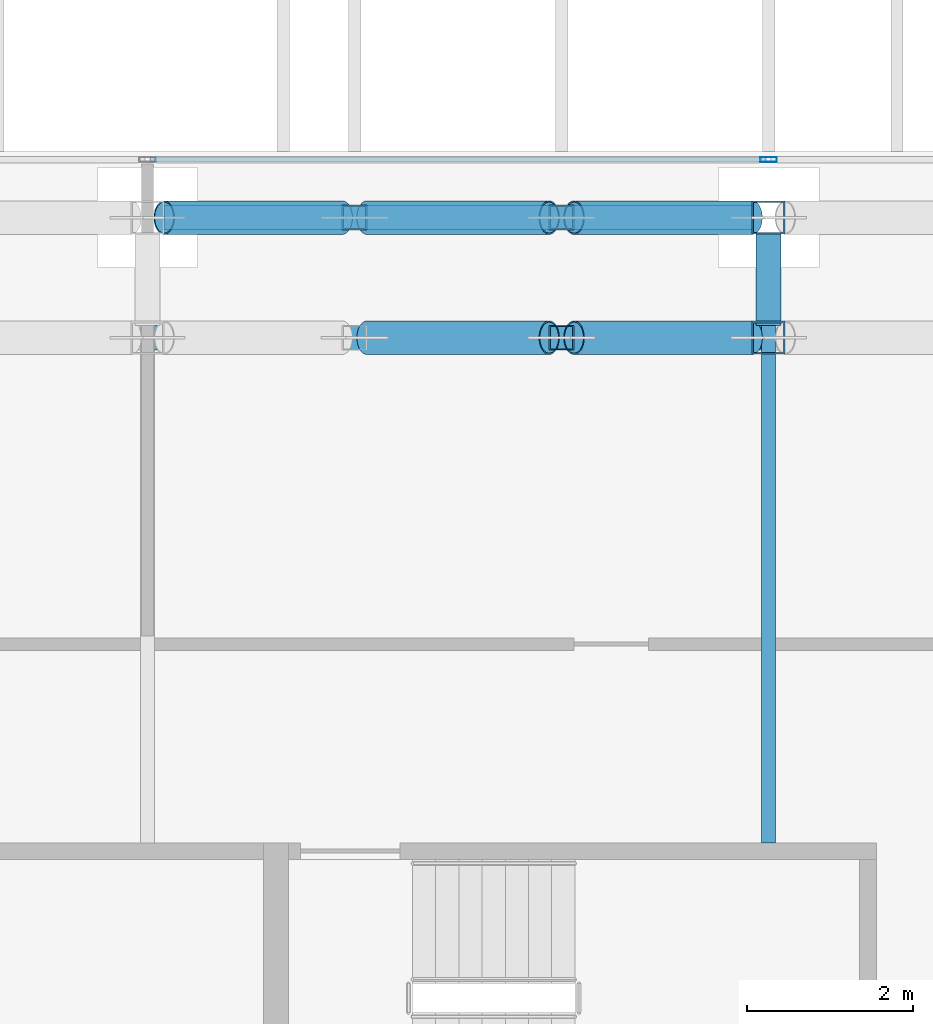
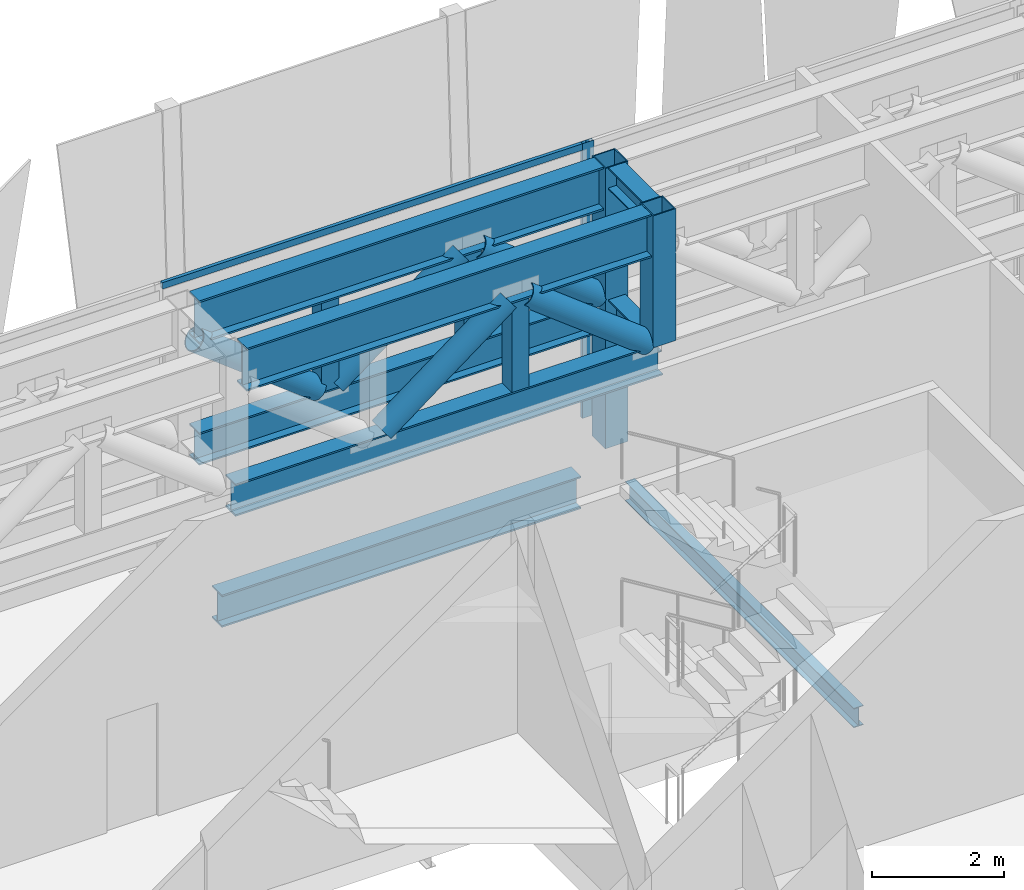
# One storey, part 21 of 39: 16 members, 4 beams, 1 element without a shape of its own.
"""IFC4 building model written with IfcOpenShell, lengths in metres."""

from ifc_helpers import new_model, si_unit, direction, frame, origin, origin_2d, place, context, subcontext, project, spatial, hollow_rectangle, hollow_circle, i_section, extrude, source, transform, mapped, material, material_profile, profile_set, type_object, element, aggregate, save


model = new_model("IFC4")

# Units and contexts
model_context = context("Model", 3, precision=1e-05, world=origin(), true_north=direction((0.0, 1.0)))
body_context = subcontext(model_context, "Body", "Model", "MODEL_VIEW")
ifc_project = project(units=[si_unit("LENGTHUNIT", "METRE"), si_unit("AREAUNIT", "SQUARE_METRE"), si_unit("VOLUMEUNIT", "CUBIC_METRE"), si_unit("PLANEANGLEUNIT", "RADIAN"), si_unit("MASSUNIT", "GRAM", prefix="KILO")], contexts=[model_context])

# Site, building, storey
site_placement = place(None, origin())
site = spatial("IfcSite", under=ifc_project, at=site_placement, CompositionType="ELEMENT")
building_placement = place(site_placement, origin())
building = spatial("IfcBuilding", under=site, at=building_placement, Name="Khomas Fold Tower", CompositionType="ELEMENT")
storey_placement = place(building_placement, frame((0.0, 0.0, 96.0)))
storey = spatial("IfcBuildingStorey", under=building, at=storey_placement, Name="L20", CompositionType="ELEMENT", Elevation=96.0)

# Beams
ifc_material_1 = material(Name="Steel S355", Category="steel")
ifc_material_profile_1 = material_profile(ifc_material_1, i_section(OverallWidth=0.169921875, OverallDepth=0.360107421875, WebThickness=0.008056640625, FlangeThickness=0.0126953125, at=origin_2d()), Name="IPE 360")
ifc_profile_set_1 = profile_set([ifc_material_profile_1], Name="Steel S355")
beam_type_1 = type_object("IfcBeamType", Name="IPE 360 beam JB2", PredefinedType="BEAM", material=ifc_profile_set_1)
shared_shape_1 = source(origin(), body_context, "Body", "SweptSolid", [
    extrude(i_section(OverallWidth=0.169921875, OverallDepth=0.360107421875, WebThickness=0.008056640625, FlangeThickness=0.0126953125, at=origin_2d()), origin(), (0.0, 0.0, 1.0), 6.9501953125),
])
beam_1_placement = place(storey_placement, frame((27.0, 45.64990234375, -0.580078125), z_axis=(0.0, 1.0, 0.0), x_axis=(-1.0, 0.0, 0.0)))
element("IfcBeam", 1, at=beam_1_placement, inside=storey, type_object=beam_type_1, Name="JB2", PredefinedType="BEAM", context=body_context, shape_type="MappedRepresentation", body=[
    mapped(shared_shape_1, transform((0.0, 0.0, 0.0))),
])
ifc_material_2 = material(Name="Steel S355", Category="steel")
ifc_material_profile_2 = material_profile(ifc_material_2, i_section(OverallWidth=0.300048828125, OverallDepth=0.60009765625, WebThickness=0.015380859375, FlangeThickness=0.030029296875, at=origin_2d()), Name="HE 600 B")
ifc_profile_set_2 = profile_set([ifc_material_profile_2], Name="Steel S355")
beam_type_2 = type_object("IfcBeamType", Name="HE 600 B spandrel SB1", PredefinedType="SPANDREL", material=ifc_profile_set_2)
shared_shape_2 = source(origin(), body_context, "Body", "SweptSolid", [
    extrude(i_section(OverallWidth=0.300048828125, OverallDepth=0.60009765625, WebThickness=0.015380859375, FlangeThickness=0.030029296875, at=origin_2d()), origin(), (0.0, 0.0, 1.0), 6.2998046875),
])
beam_2_placement = place(storey_placement, frame((20.10009765625, 53.199951171875, -0.699951171875), z_axis=(1.0, 0.0, 0.0), x_axis=(0.0, 1.0, 0.0)))
element("IfcBeam", 2, at=beam_2_placement, inside=storey, type_object=beam_type_2, Name="SB1", PredefinedType="SPANDREL", context=body_context, shape_type="MappedRepresentation", body=[
    mapped(shared_shape_2, transform((0.0, 0.0, 0.0))),
])

# Members
ifc_material_3 = material(Name="Steel S355", Category="steel")
ifc_material_profile_3 = material_profile(ifc_material_3, i_section(OverallWidth=0.300048828125, OverallDepth=0.60009765625, WebThickness=0.015380859375, FlangeThickness=0.030029296875, at=origin_2d()), Name="HE 600 B")
ifc_profile_set_3 = profile_set([ifc_material_profile_3], Name="Steel S355")
member_type_1 = type_object("IfcMemberType", Name="BELT TRUSS 1 BOTTOM CHORD HE 600 B", PredefinedType="CHORD", material=ifc_profile_set_3)
shared_shape_3 = source(origin(), body_context, "Body", "SweptSolid", [
    extrude(i_section(OverallWidth=0.300048828125, OverallDepth=0.60009765625, WebThickness=0.015380859375, FlangeThickness=0.030029296875, at=origin_2d()), origin(), (0.0, 0.0, 1.0), 7.5),
])
member_1_placement = place(storey_placement, frame((27.0, 51.75, 2.449951171875), z_axis=(-1.0, 0.0, 0.0), x_axis=(0.0, -1.0, 0.0)))
element("IfcMember", 3, at=member_1_placement, inside=storey, type_object=member_type_1, Name="BT1-CB", PredefinedType="CHORD", context=body_context, shape_type="MappedRepresentation", body=[
    mapped(shared_shape_3, transform((0.0, 0.0, 0.0))),
])
ifc_material_4 = material(Name="Steel S355", Category="steel")
ifc_material_profile_4 = material_profile(ifc_material_4, hollow_rectangle(XDim=0.300048828125, YDim=0.300048828125, WallThickness=0.01611328125, at=origin_2d()), Name="SHS 300x300x16")
ifc_profile_set_4 = profile_set([ifc_material_profile_4], Name="Steel S355")
member_type_2 = type_object("IfcMemberType", Name="BELT TRUSS 1 MID POST SHS 300x300x16", PredefinedType="POST", material=ifc_profile_set_4)
shared_shape_4 = source(origin(), body_context, "Body", "SweptSolid", [
    extrude(hollow_rectangle(XDim=0.300048828125, YDim=0.300048828125, WallThickness=0.01611328125, at=origin_2d()), origin(), (0.0, 0.0, 1.0), 1.64990234375),
])
for number, where, z_axis, x_axis, name in (
    (4, (24.5, 53.199951171875, 2.75), (0.0, 0.0, 1.0), (1.0, 0.0, 0.0), "BT1-M"),
    (5, (22.0, 53.199951171875, 2.75), (0.0, 0.0, 1.0), (1.0, 0.0, 0.0), "BT1-M"),
    (6, (24.5, 51.75, 2.75), (0.0, 0.0, 1.0), (1.0, 0.0, 0.0), "BT1-M"),
):
    element("IfcMember", number, at=place(storey_placement, frame(where, z_axis=z_axis, x_axis=x_axis)), inside=storey, type_object=member_type_2, Name=name, PredefinedType="POST", context=body_context, shape_type="MappedRepresentation", body=[
        mapped(shared_shape_4, transform((0.0, 0.0, 0.0))),
    ])
ifc_material_5 = material(Name="Steel S460M", Category="steel")
ifc_material_profile_5 = material_profile(ifc_material_5, i_section(OverallWidth=0.300048828125, OverallDepth=0.800048828125, WebThickness=0.017578125, FlangeThickness=0.032958984375, at=origin_2d()), Name="HE 800 B")
ifc_profile_set_5 = profile_set([ifc_material_profile_5], Name="Steel S460M")
member_type_3 = type_object("IfcMemberType", Name="BELT TRUSS 1 TOP CHORD HE 800 B", PredefinedType="CHORD", material=ifc_profile_set_5)
shared_shape_5 = source(origin(), body_context, "Body", "SweptSolid", [
    extrude(i_section(OverallWidth=0.300048828125, OverallDepth=0.800048828125, WebThickness=0.017578125, FlangeThickness=0.032958984375, at=origin_2d()), origin(), (0.0, 0.0, 1.0), 7.10009765625),
])
for number, where, z_axis, x_axis, name in (
    (7, (26.800048828125, 53.199951171875, 4.800048828125), (-1.0, 0.0, 0.0), (0.0, -1.0, 0.0), "BT1-CT"),
    (8, (26.800048828125, 51.75, 4.800048828125), (-1.0, 0.0, 0.0), (0.0, -1.0, 0.0), "BT1-CT"),
):
    element("IfcMember", number, at=place(storey_placement, frame(where, z_axis=z_axis, x_axis=x_axis)), inside=storey, type_object=member_type_3, Name=name, PredefinedType="CHORD", context=body_context, shape_type="MappedRepresentation", body=[
        mapped(shared_shape_5, transform((0.0, 0.0, 0.0))),
    ])
shared_shape_6 = source(origin(), body_context, "Body", "SweptSolid", [
    extrude(i_section(OverallWidth=0.300048828125, OverallDepth=0.60009765625, WebThickness=0.015380859375, FlangeThickness=0.030029296875, at=origin_2d()), origin(), (0.0, 0.0, 1.0), 7.10009765625),
])
member_2_placement = place(storey_placement, frame((26.800048828125, 53.199951171875, 2.449951171875), z_axis=(-1.0, 0.0, 0.0), x_axis=(0.0, -1.0, 0.0)))
element("IfcMember", 9, at=member_2_placement, inside=storey, type_object=member_type_1, Name="BT1-CB", PredefinedType="CHORD", context=body_context, shape_type="MappedRepresentation", body=[
    mapped(shared_shape_6, transform((0.0, 0.0, 0.0))),
])
ifc_material_6 = material(Name="Steel S355", Category="steel")
ifc_material_profile_6 = material_profile(ifc_material_6, hollow_circle(Radius=0.203125, WallThickness=0.01611328125, at=origin_2d()), Name="CHS 406.4x16")
ifc_profile_set_6 = profile_set([ifc_material_profile_6], Name="Steel S355")
member_type_4 = type_object("IfcMemberType", Name="BELT TRUSS 1 DIAGONAL CHS 406.4x16", PredefinedType="BRACE", material=ifc_profile_set_6)
shared_shape_7 = source(origin(), body_context, "Body", "SweptSolid", [
    extrude(hollow_circle(Radius=0.203125, WallThickness=0.01611328125, at=origin_2d()), origin(), (0.0, 0.0, 1.0), 2.71630859375),
])
for number, where, z_axis, x_axis, name in (
    (10, (26.800048828125, 53.199951171875, 2.7451171875), (-0.791563625226, 0.0, 0.611086759159), (0.0, -1.0, 0.0), "BT1-D"),
    (11, (21.85009765625, 53.199951171875, 2.7451171875), (-0.791563625226, 0.0, 0.611086759159), (0.0, -1.0, 0.0), "BT1-D"),
    (12, (26.800048828125, 51.75, 2.7451171875), (-0.791563625226, 0.0, 0.611086759159), (0.0, -1.0, 0.0), "BT1-D"),
):
    element("IfcMember", number, at=place(storey_placement, frame(where, z_axis=z_axis, x_axis=x_axis)), inside=storey, type_object=member_type_4, Name=name, PredefinedType="BRACE", context=body_context, shape_type="MappedRepresentation", body=[
        mapped(shared_shape_7, transform((0.0, 0.0, 0.0))),
    ])
shared_shape_8 = source(origin(), body_context, "Body", "SweptSolid", [
    extrude(hollow_circle(Radius=0.203125, WallThickness=0.01611328125, at=origin_2d()), origin(), (0.0, 0.0, 1.0), 2.756103515625),
])
for number, where, z_axis, x_axis, name in (
    (13, (24.35009765625, 53.199951171875, 4.405029296875), (-0.798296022167, 0.0, -0.602265274602), (0.0, -1.0, 0.0), "BT1-D"),
    (14, (24.35009765625, 51.75, 4.405029296875), (-0.798296022167, 0.0, -0.602265274602), (0.0, -1.0, 0.0), "BT1-D"),
):
    element("IfcMember", number, at=place(storey_placement, frame(where, z_axis=z_axis, x_axis=x_axis)), inside=storey, type_object=member_type_4, Name=name, PredefinedType="BRACE", context=body_context, shape_type="MappedRepresentation", body=[
        mapped(shared_shape_8, transform((0.0, 0.0, 0.0))),
    ])
ifc_material_7 = material(Name="Steel S460M", Category="steel")
ifc_material_profile_7 = material_profile(ifc_material_7, hollow_rectangle(XDim=0.39990234375, YDim=0.39990234375, WallThickness=0.02001953125, at=origin_2d()), Name="SHS 400x400x20")
ifc_profile_set_7 = profile_set([ifc_material_profile_7], Name="Steel S460M")
member_type_5 = type_object("IfcMemberType", Name="BELT TRUSS 1 COLUMN POST LONG SHS 400x400x20", PredefinedType="POST", material=ifc_profile_set_7)
shared_shape_9 = source(origin(), body_context, "Body", "SweptSolid", [
    extrude(hollow_rectangle(XDim=0.39990234375, YDim=0.39990234375, WallThickness=0.02001953125, at=origin_2d()), origin(), (0.0, 0.0, 1.0), 5.199951171875),
])
member_3_placement = place(storey_placement, frame((27.0, 53.199951171875, 0.0), z_axis=(0.0, 0.0, 1.0), x_axis=(1.0, 0.0, 0.0)))
element("IfcMember", 15, at=member_3_placement, inside=storey, type_object=member_type_5, Name="BT1-PL", PredefinedType="POST", context=body_context, shape_type="MappedRepresentation", body=[
    mapped(shared_shape_9, transform((0.0, 0.0, 0.0))),
])
ifc_material_8 = material(Name="Steel S460M", Category="steel")
ifc_material_profile_8 = material_profile(ifc_material_8, hollow_rectangle(XDim=0.39990234375, YDim=0.39990234375, WallThickness=0.02001953125, at=origin_2d()), Name="SHS 400x400x20")
ifc_profile_set_8 = profile_set([ifc_material_profile_8], Name="Steel S460M")
member_type_6 = type_object("IfcMemberType", Name="BELT TRUSS 1 COLUMN POST SHS 400x400x20", PredefinedType="POST", material=ifc_profile_set_8)
shared_shape_10 = source(origin(), body_context, "Body", "SweptSolid", [
    extrude(hollow_rectangle(XDim=0.39990234375, YDim=0.39990234375, WallThickness=0.02001953125, at=origin_2d()), origin(), (0.0, 0.0, 1.0), 2.449951171875),
])
member_4_placement = place(storey_placement, frame((27.0, 51.75, 2.75), z_axis=(0.0, 0.0, 1.0), x_axis=(1.0, 0.0, 0.0)))
element("IfcMember", 16, at=member_4_placement, inside=storey, type_object=member_type_6, Name="BT1-P", PredefinedType="POST", context=body_context, shape_type="MappedRepresentation", body=[
    mapped(shared_shape_10, transform((0.0, 0.0, 0.0))),
])

# Beams
ifc_material_9 = material(Name="Steel S355", Category="steel")
ifc_material_profile_9 = material_profile(ifc_material_9, i_section(OverallWidth=0.300048828125, OverallDepth=0.39990234375, WebThickness=0.013427734375, FlangeThickness=0.02392578125, at=origin_2d()), Name="HE 400 B")
ifc_profile_set_9 = profile_set([ifc_material_profile_9], Name="Steel S355")
beam_type_3 = type_object("IfcBeamType", Name="BELT TRUSS 1 TOP STRUT HE 400 B", PredefinedType="BEAM", material=ifc_profile_set_9)
shared_shape_11 = source(origin(), body_context, "Body", "SweptSolid", [
    extrude(i_section(OverallWidth=0.300048828125, OverallDepth=0.39990234375, WebThickness=0.013427734375, FlangeThickness=0.02392578125, at=origin_2d()), origin(), (0.0, 0.0, 1.0), 1.050048828125),
])
beam_3_placement = place(storey_placement, frame((27.0, 51.949951171875, 5.0), z_axis=(0.0, 1.0, 0.0), x_axis=(-1.0, 0.0, 0.0)))
element("IfcBeam", 17, at=beam_3_placement, inside=storey, type_object=beam_type_3, Name="BT1-ST", PredefinedType="BEAM", context=body_context, shape_type="MappedRepresentation", body=[
    mapped(shared_shape_11, transform((0.0, 0.0, 0.0))),
])
ifc_material_10 = material(Name="Steel S355", Category="steel")
ifc_material_profile_10 = material_profile(ifc_material_10, i_section(OverallWidth=0.300048828125, OverallDepth=0.39990234375, WebThickness=0.013427734375, FlangeThickness=0.02392578125, at=origin_2d()), Name="HE 400 B")
ifc_profile_set_10 = profile_set([ifc_material_profile_10], Name="Steel S355")
beam_type_4 = type_object("IfcBeamType", Name="BELT TRUSS 1 BOTTOM STRUT HE 400 B", PredefinedType="BEAM", material=ifc_profile_set_10)
shared_shape_12 = source(origin(), body_context, "Body", "SweptSolid", [
    extrude(i_section(OverallWidth=0.300048828125, OverallDepth=0.39990234375, WebThickness=0.013427734375, FlangeThickness=0.02392578125, at=origin_2d()), origin(), (0.0, 0.0, 1.0), 1.10009765625),
])
beam_4_placement = place(storey_placement, frame((27.0, 51.89990234375, 2.550048828125), z_axis=(0.0, 1.0, 0.0), x_axis=(-1.0, 0.0, 0.0)))
element("IfcBeam", 18, at=beam_4_placement, inside=storey, type_object=beam_type_4, Name="BT1-SB", PredefinedType="BEAM", context=body_context, shape_type="MappedRepresentation", body=[
    mapped(shared_shape_12, transform((0.0, 0.0, 0.0))),
])

# Curtain wall, members
ifc_material_11 = material(Name="Aluminium framed double glazing", Category="aluminium")
curtain_wall_type = type_object("IfcCurtainWallType", Name="SK-Plant louvre wall CW4", PredefinedType="NOTDEFINED", material=ifc_material_11)
curtain_wall_placement = place(storey_placement, origin())
curtain_wall = element("IfcCurtainWall", 19, at=curtain_wall_placement, inside=storey, type_object=curtain_wall_type, Name="CW4 run L20 06-0", PredefinedType="NOTDEFINED")
ifc_material_12 = material(Name="Aluminium", Category="aluminium")
ifc_material_profile_11 = material_profile(ifc_material_12, hollow_rectangle(XDim=0.06005859375, YDim=0.199951171875, WallThickness=0.00390625, at=origin_2d()), Name="SK-Plant louvre wall mullion CW4-M")
ifc_profile_set_11 = profile_set([ifc_material_profile_11], Name="Aluminium")
member_type_7 = type_object("IfcMemberType", Name="SK-Plant louvre wall mullion CW4-M", PredefinedType="MULLION", material=ifc_profile_set_11)
shared_shape_13 = source(origin(), body_context, "Body", "SweptSolid", [
    extrude(hollow_rectangle(XDim=0.06005859375, YDim=0.199951171875, WallThickness=0.00390625, at=origin_2d()), origin(), (0.0, 0.0, 1.0), 5.10009765625),
])
member_5_placement = place(storey_placement, frame((27.0, 53.89990234375, 0.0), z_axis=(0.0, 0.0, 1.0), x_axis=(0.0, -1.0, 0.0)))
member_5 = element("IfcMember", 20, at=member_5_placement, type_object=member_type_7, Name="CW4 mullion 5", PredefinedType="MULLION", context=body_context, shape_type="MappedRepresentation", body=[
    mapped(shared_shape_13, transform((0.0, 0.0, 0.0))),
])
ifc_material_13 = material(Name="Aluminium", Category="aluminium")
ifc_material_profile_12 = material_profile(ifc_material_13, hollow_rectangle(XDim=0.06005859375, YDim=0.1201171875, WallThickness=0.00390625, at=origin_2d()), Name="SK-Plant louvre wall transom CW4-T")
ifc_profile_set_12 = profile_set([ifc_material_profile_12], Name="Aluminium")
member_type_8 = type_object("IfcMemberType", Name="SK-Plant louvre wall transom CW4-T", PredefinedType="USERDEFINED", material=ifc_profile_set_12)
shared_shape_14 = source(origin(), body_context, "Body", "SweptSolid", [
    extrude(hollow_rectangle(XDim=0.06005859375, YDim=0.1201171875, WallThickness=0.00390625, at=origin_2d()), origin(), (0.0, 0.0, 1.0), 7.43994140625),
])
member_6_placement = place(storey_placement, frame((26.969970703125, 53.89990234375, 5.0400390625), z_axis=(-1.0, 0.0, 0.0), x_axis=(0.0, -1.0, 0.0)))
member_6 = element("IfcMember", 21, at=member_6_placement, type_object=member_type_8, Name="CW4 transom 5", ObjectType="TRANSOM", PredefinedType="USERDEFINED", context=body_context, shape_type="MappedRepresentation", body=[
    mapped(shared_shape_14, transform((0.0, 0.0, 0.0))),
])
aggregate(curtain_wall, [member_5, member_6])

save(model, "model.ifc")
